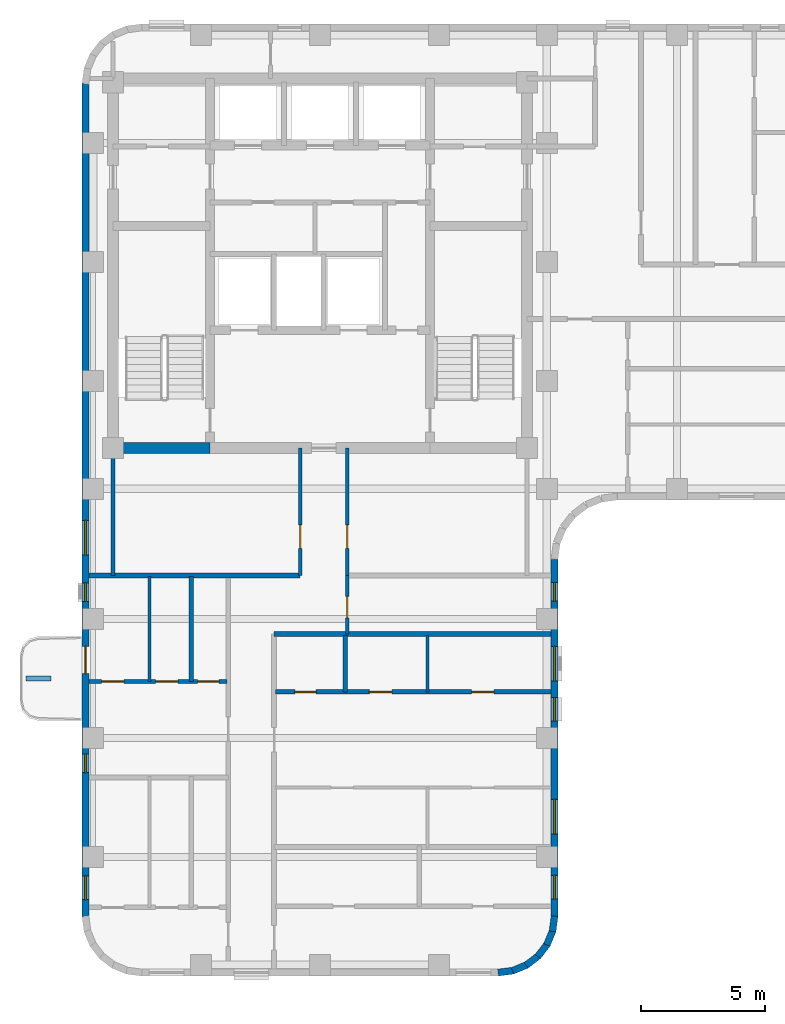
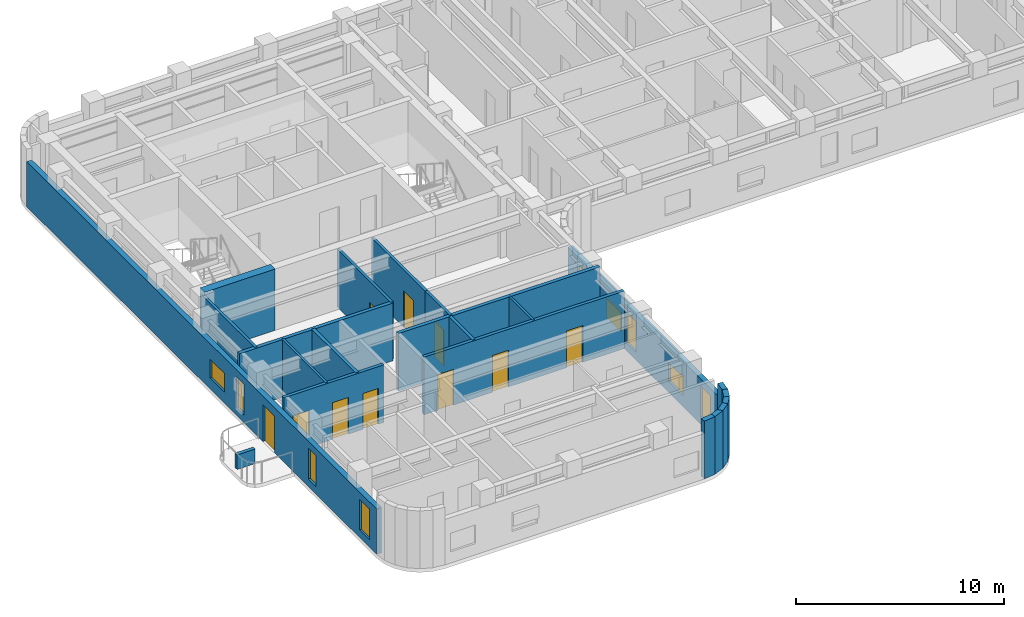
# One storey, part 3 of 10: 22 walls, 10 doors, 9 windows, 19 openings.
"""IFC4 building model written with IfcOpenShell, lengths in metres."""

from ifc_helpers import new_model, si_unit, direction, frame, frame_2d, origin, place, context, subcontext, project, spatial, rectangle, extrude, material, layer, layer_set, type_object, element, fill, save


model = new_model("IFC4")

# Units and contexts
model_context = context("Model", 3, precision=1e-05, world=origin(), true_north=direction((0.0, 1.0)))
body_context = subcontext(model_context, "Body", "Model", "MODEL_VIEW")
ifc_project = project(units=[si_unit("LENGTHUNIT", "METRE"), si_unit("AREAUNIT", "SQUARE_METRE"), si_unit("VOLUMEUNIT", "CUBIC_METRE"), si_unit("PLANEANGLEUNIT", "RADIAN"), si_unit("MASSUNIT", "GRAM", prefix="KILO")], contexts=[model_context])

# Site, building, storey
site_placement = place(None, origin())
site = spatial("IfcSite", under=ifc_project, at=site_placement, CompositionType="ELEMENT")
building_placement = place(site_placement, origin())
building = spatial("IfcBuilding", under=site, at=building_placement, Name="Orvandelia Arch Residences", CompositionType="ELEMENT")
storey_placement = place(building_placement, frame((0.0, 0.0, 221.800048828125)))
storey = spatial("IfcBuildingStorey", under=building, at=storey_placement, Name="L58", CompositionType="ELEMENT", Elevation=221.800048828125)

# Walls
ifc_material_1 = material(Name="Concrete C50/60", Category="concrete")
ifc_layer_1 = layer(ifc_material_1, 0.449951171875, Name="Concrete C50/60", Category="concrete")
ifc_layer_set_1 = layer_set([ifc_layer_1], Name="Concrete C50/60")
wall_type_1 = type_object("IfcWallType", Name="WL-CORE-450", PredefinedType="SHEAR", material=ifc_layer_set_1)
wall_1_placement = place(storey_placement, frame((6.050048828125, 30.89990234375, 0.0), z_axis=(0.0, 0.0, 1.0), x_axis=(1.0, 0.0, 0.0)))
element("IfcWall", 1, at=wall_1_placement, inside=storey, type_object=wall_type_1, Name="Core Shear Wall L58-SW", PredefinedType="SHEAR", context=body_context, shape_type="SweptSolid", body=[
    extrude(rectangle(XDim=3.909912109375, YDim=0.449951171875, at=frame_2d((1.955078125, 0.0))), origin(), (0.0, 0.0, 1.0), 3.599853515625),
])
ifc_material_2 = material(Name="Fire-Rated Corridor Partition")
ifc_layer_2 = layer(ifc_material_2, 0.199951171875, Name="Fire-Rated Corridor Partition")
ifc_layer_set_2 = layer_set([ifc_layer_2], Name="Fire-Rated Corridor Partition")
wall_type_2 = type_object("IfcWallType", Name="WL-CORR-200", PredefinedType="PARTITIONING", material=ifc_layer_set_2)
wall_2_placement = place(storey_placement, frame((12.550048828125, 23.39990234375, 0.0), z_axis=(0.0, 0.0, 1.0), x_axis=(1.0, 0.0, 0.0)))
element("IfcWall", 2, at=wall_2_placement, inside=storey, type_object=wall_type_2, Name="Interior Partition Wall WL-L58-WLNK-S", PredefinedType="PARTITIONING", context=body_context, shape_type="SweptSolid", body=[
    extrude(rectangle(XDim=11.169921875, YDim=0.199951171875, at=frame_2d((5.5849609375, 0.0))), origin(), (0.0, 0.0, 1.0), 3.3798828125),
])
wall_3_placement = place(storey_placement, frame((5.080078125, 25.75, 0.0), z_axis=(0.0, 0.0, 1.0), x_axis=(1.0, 0.0, 0.0)))
element("IfcWall", 3, at=wall_3_placement, inside=storey, type_object=wall_type_2, Name="Interior Partition Wall WL-L58-WLNK-N", PredefinedType="PARTITIONING", context=body_context, shape_type="SweptSolid", body=[
    extrude(rectangle(XDim=8.52001953125, YDim=0.199951171875, at=frame_2d((4.260009765625, 0.0))), origin(), (0.0, 0.0, 1.0), 3.3798828125),
])

# Wall, openings, windows
ifc_material_3 = material(Name="Precast concrete C40/50", Category="concrete")
ifc_layer_3 = layer(ifc_material_3, 0.280029296875, Name="Precast concrete C40/50", Category="concrete")
ifc_layer_set_3 = layer_set([ifc_layer_3], Name="Precast concrete C40/50")
wall_type_3 = type_object("IfcWallType", Name="WL-EXT-STONE-280", PredefinedType="STANDARD", material=ifc_layer_set_3)
wall_4_placement = place(storey_placement, frame((23.860107421875, 26.39990234375, 0.0), z_axis=(0.0, 0.0, 1.0), x_axis=(0.0, -1.0, 0.0)))
wall_4 = element("IfcWall", 4, at=wall_4_placement, inside=storey, type_object=wall_type_3, Name="Coral-Limestone Precast Facade Wall L58-028", PredefinedType="STANDARD", context=body_context, shape_type="SweptSolid", body=[
    extrude(rectangle(XDim=14.39990234375, YDim=0.280029296875, at=frame_2d((7.199951171875, 0.0))), origin(), (0.0, 0.0, 1.0), 2.659912109375),
])
opening_1_placement = place(wall_4_placement, frame((3.5, 0.0, 0.64990234375)))
opening_1 = element("IfcOpeningElement", 5, at=opening_1_placement, cuts=wall_4, Name="Opening W10", PredefinedType="OPENING", context=body_context, shape_type="SweptSolid", body=[
    extrude(rectangle(XDim=1.39990234375, YDim=1.10009765625, at=frame_2d((0.699951171875, 0.550048828125))), frame((0.0, 0.14990234375, 0.0), z_axis=(0.0, -1.0, 0.0), x_axis=(1.0, 0.0, 0.0)), (0.0, 0.0, 1.0), 0.300048828125),
])
opening_2_placement = place(wall_4_placement, frame((9.678466796875, 0.0, 0.64990234375)))
opening_2 = element("IfcOpeningElement", 6, at=opening_2_placement, cuts=wall_4, Name="Opening W10", PredefinedType="OPENING", context=body_context, shape_type="SweptSolid", body=[
    extrude(rectangle(XDim=1.39990234375, YDim=1.10009765625, at=frame_2d((0.699951171875, 0.550048828125))), frame((0.0, 0.14990234375, 0.0), z_axis=(0.0, -1.0, 0.0), x_axis=(1.0, 0.0, 0.0)), (0.0, 0.0, 1.0), 0.300048828125),
])
opening_3_placement = place(wall_4_placement, frame((12.742431640625, 0.0, 0.449951171875)))
opening_3 = element("IfcOpeningElement", 7, at=opening_3_placement, cuts=wall_4, Name="Opening W4", PredefinedType="OPENING", context=body_context, shape_type="SweptSolid", body=[
    extrude(rectangle(XDim=0.949951171875, YDim=1.800048828125, at=frame_2d((0.47509765625, 0.89990234375))), frame((0.0, 0.14990234375, 0.0), z_axis=(0.0, -1.0, 0.0), x_axis=(1.0, 0.0, 0.0)), (0.0, 0.0, 1.0), 0.300048828125),
])
opening_4_placement = place(wall_4_placement, frame((5.572509765625, 0.0, 0.449951171875)))
opening_4 = element("IfcOpeningElement", 8, at=opening_4_placement, cuts=wall_4, Name="Opening W4", PredefinedType="OPENING", context=body_context, shape_type="SweptSolid", body=[
    extrude(rectangle(XDim=0.949951171875, YDim=1.800048828125, at=frame_2d((0.47509765625, 0.89990234375))), frame((0.0, 0.14990234375, 0.0), z_axis=(0.0, -1.0, 0.0), x_axis=(1.0, 0.0, 0.0)), (0.0, 0.0, 1.0), 0.300048828125),
])
opening_5_placement = place(wall_4_placement, frame((0.9326171875, 0.0, 0.449951171875)))
opening_5 = element("IfcOpeningElement", 9, at=opening_5_placement, cuts=wall_4, Name="Opening W11", PredefinedType="OPENING", context=body_context, shape_type="SweptSolid", body=[
    extrude(rectangle(XDim=0.75, YDim=1.800048828125, at=frame_2d((0.375, 0.89990234375))), frame((0.0, 0.14990234375, 0.0), z_axis=(0.0, -1.0, 0.0), x_axis=(1.0, 0.0, 0.0)), (0.0, 0.0, 1.0), 0.300048828125),
])
ifc_material_4 = material(Name="Tempered Low-E Insulated Glazing", Category="glass")
window_type_1 = type_object("IfcWindowType", Name="WIN-BED-0750x1800", PartitioningType="SINGLE_PANEL", PredefinedType="WINDOW", material=ifc_material_4)
window_1_placement = place(opening_5_placement, origin())
window_1 = element("IfcWindow", 10, at=window_1_placement, inside=storey, type_object=window_type_1, Name="Recessed Punched Window L58-022", OverallHeight=1.800048828125, OverallWidth=0.75, PartitioningType="SINGLE_PANEL", PredefinedType="WINDOW", context=body_context, shape_type="SweptSolid", body=[
    extrude(rectangle(XDim=0.75, YDim=1.800048828125, at=frame_2d((0.375, 0.89990234375))), frame((0.0, 0.030029296875, 0.0), z_axis=(0.0, -1.0, 0.0), x_axis=(1.0, 0.0, 0.0)), (0.0, 0.0, 1.0), 0.06005859375),
])
fill(opening_5, window_1)
window_type_2 = type_object("IfcWindowType", Name="WIN-CLR-1400x1100", PartitioningType="SINGLE_PANEL", PredefinedType="WINDOW", material=ifc_material_4)
window_2_placement = place(opening_1_placement, origin())
window_2 = element("IfcWindow", 11, at=window_2_placement, inside=storey, type_object=window_type_2, Name="Recessed Punched Window L58-018", OverallHeight=1.10009765625, OverallWidth=1.39990234375, PartitioningType="SINGLE_PANEL", PredefinedType="WINDOW", context=body_context, shape_type="SweptSolid", body=[
    extrude(rectangle(XDim=1.39990234375, YDim=1.10009765625, at=frame_2d((0.699951171875, 0.550048828125))), frame((0.0, 0.030029296875, 0.0), z_axis=(0.0, -1.0, 0.0), x_axis=(1.0, 0.0, 0.0)), (0.0, 0.0, 1.0), 0.06005859375),
])
fill(opening_1, window_2)
window_3_placement = place(opening_2_placement, origin())
window_3 = element("IfcWindow", 12, at=window_3_placement, inside=storey, type_object=window_type_2, Name="Recessed Punched Window L58-019", OverallHeight=1.10009765625, OverallWidth=1.39990234375, PartitioningType="SINGLE_PANEL", PredefinedType="WINDOW", context=body_context, shape_type="SweptSolid", body=[
    extrude(rectangle(XDim=1.39990234375, YDim=1.10009765625, at=frame_2d((0.699951171875, 0.550048828125))), frame((0.0, 0.030029296875, 0.0), z_axis=(0.0, -1.0, 0.0), x_axis=(1.0, 0.0, 0.0)), (0.0, 0.0, 1.0), 0.06005859375),
])
fill(opening_2, window_3)
window_type_3 = type_object("IfcWindowType", Name="WIN-RES-0950x1800", PartitioningType="SINGLE_PANEL", PredefinedType="WINDOW", material=ifc_material_4)
window_4_placement = place(opening_3_placement, origin())
window_4 = element("IfcWindow", 13, at=window_4_placement, inside=storey, type_object=window_type_3, Name="Recessed Punched Window L58-020", OverallHeight=1.800048828125, OverallWidth=0.949951171875, PartitioningType="SINGLE_PANEL", PredefinedType="WINDOW", context=body_context, shape_type="SweptSolid", body=[
    extrude(rectangle(XDim=0.949951171875, YDim=1.800048828125, at=frame_2d((0.47509765625, 0.89990234375))), frame((0.0, 0.030029296875, 0.0), z_axis=(0.0, -1.0, 0.0), x_axis=(1.0, 0.0, 0.0)), (0.0, 0.0, 1.0), 0.06005859375),
])
fill(opening_3, window_4)
window_5_placement = place(opening_4_placement, origin())
window_5 = element("IfcWindow", 14, at=window_5_placement, inside=storey, type_object=window_type_3, Name="Recessed Punched Window L58-021", OverallHeight=1.800048828125, OverallWidth=0.949951171875, PartitioningType="SINGLE_PANEL", PredefinedType="WINDOW", context=body_context, shape_type="SweptSolid", body=[
    extrude(rectangle(XDim=0.949951171875, YDim=1.800048828125, at=frame_2d((0.47509765625, 0.89990234375))), frame((0.0, 0.030029296875, 0.0), z_axis=(0.0, -1.0, 0.0), x_axis=(1.0, 0.0, 0.0)), (0.0, 0.0, 1.0), 0.06005859375),
])
fill(opening_4, window_5)

# Walls
for number, where, z_axis, x_axis, name in (
    (15, (23.861083984375, 12.018310546875, 0.0), (0.0, 0.0, 1.0), (-0.130555323746, -0.9914410257, 0.0), "Coral-Limestone Precast Facade Wall L58-029"),
    (16, (23.788818359375, 11.432373046875, 0.0), (0.0, 0.0, 1.0), (-0.382317370307, -0.924031075431, 0.0), "Coral-Limestone Precast Facade Wall L58-030"),
    (17, (23.5673828125, 10.88525390625, 0.0), (0.0, 0.0, 1.0), (-0.608693302629, -0.793405610854, 0.0), "Coral-Limestone Precast Facade Wall L58-031"),
    (18, (23.2119140625, 10.4140625, 0.0), (0.0, 0.0, 1.0), (-0.793405610854, -0.608693302629, 0.0), "Coral-Limestone Precast Facade Wall L58-032"),
    (19, (22.746337890625, 10.05078125, 0.0), (0.0, 0.0, 1.0), (-0.92389335771, -0.382650053678, 0.0), "Coral-Limestone Precast Facade Wall L58-033"),
    (20, (22.202880859375, 9.820556640625, 0.0), (0.0, 0.0, 1.0), (-0.9914410257, -0.130555323746, 0.0), "Coral-Limestone Precast Facade Wall L58-034"),
):
    element("IfcWall", number, at=place(storey_placement, frame(where, z_axis=z_axis, x_axis=x_axis)), inside=storey, type_object=wall_type_3, Name=name, PredefinedType="STANDARD", context=body_context, shape_type="SweptSolid", body=[
        extrude(rectangle(XDim=0.62646484375, YDim=0.280029296875, at=frame_2d((0.313232421875, 0.0))), origin(), (0.0, 0.0, 1.0), 3.3798828125),
    ])

# Wall, openings, door, windows
wall_5_placement = place(storey_placement, frame((4.93994140625, 12.0, 0.0), z_axis=(0.0, 0.0, 1.0), x_axis=(0.0, 1.0, 0.0)))
wall_5 = element("IfcWall", 21, at=wall_5_placement, inside=storey, type_object=wall_type_3, Name="Coral-Limestone Precast Facade Wall L58-042", PredefinedType="STANDARD", context=body_context, shape_type="SweptSolid", body=[
    extrude(rectangle(XDim=33.60009765625, YDim=0.280029296875, at=frame_2d((16.800048828125, 0.0))), origin(), (0.0, 0.0, 1.0), 2.659912109375),
])
opening_6_placement = place(wall_5_placement, frame((9.800048828125, 0.0, 0.0)))
opening_6 = element("IfcOpeningElement", 22, at=opening_6_placement, cuts=wall_5, Name="Opening BD1", PredefinedType="OPENING", context=body_context, shape_type="SweptSolid", body=[
    extrude(rectangle(XDim=1.10009765625, YDim=2.14990234375, at=frame_2d((0.550048828125, 1.074951171875))), frame((0.0, 0.14990234375, 0.0), z_axis=(0.0, -1.0, 0.0), x_axis=(1.0, 0.0, 0.0)), (0.0, 0.0, 1.0), 0.300048828125),
])
opening_7_placement = place(wall_5_placement, frame((0.685546875, 0.0, 0.449951171875)))
opening_7 = element("IfcOpeningElement", 23, at=opening_7_placement, cuts=wall_5, Name="Opening W4", PredefinedType="OPENING", context=body_context, shape_type="SweptSolid", body=[
    extrude(rectangle(XDim=0.949951171875, YDim=1.800048828125, at=frame_2d((0.47509765625, 0.89990234375))), frame((0.0, 0.14990234375, 0.0), z_axis=(0.0, -1.0, 0.0), x_axis=(1.0, 0.0, 0.0)), (0.0, 0.0, 1.0), 0.300048828125),
])
opening_8_placement = place(wall_5_placement, frame((12.70751953125, 0.0, 0.449951171875)))
opening_8 = element("IfcOpeningElement", 24, at=opening_8_placement, cuts=wall_5, Name="Opening W11", PredefinedType="OPENING", context=body_context, shape_type="SweptSolid", body=[
    extrude(rectangle(XDim=0.75, YDim=1.800048828125, at=frame_2d((0.375, 0.89990234375))), frame((0.0, 0.14990234375, 0.0), z_axis=(0.0, -1.0, 0.0), x_axis=(1.0, 0.0, 0.0)), (0.0, 0.0, 1.0), 0.300048828125),
])
opening_9_placement = place(wall_5_placement, frame((5.802490234375, 0.0, 0.449951171875)))
opening_9 = element("IfcOpeningElement", 25, at=opening_9_placement, cuts=wall_5, Name="Opening W11", PredefinedType="OPENING", context=body_context, shape_type="SweptSolid", body=[
    extrude(rectangle(XDim=0.75, YDim=1.800048828125, at=frame_2d((0.375, 0.89990234375))), frame((0.0, 0.14990234375, 0.0), z_axis=(0.0, -1.0, 0.0), x_axis=(1.0, 0.0, 0.0)), (0.0, 0.0, 1.0), 0.300048828125),
])
opening_10_placement = place(wall_5_placement, frame((14.58251953125, 0.0, 0.64990234375)))
opening_10 = element("IfcOpeningElement", 26, at=opening_10_placement, cuts=wall_5, Name="Opening W10", PredefinedType="OPENING", context=body_context, shape_type="SweptSolid", body=[
    extrude(rectangle(XDim=1.39990234375, YDim=1.10009765625, at=frame_2d((0.699951171875, 0.550048828125))), frame((0.0, 0.14990234375, 0.0), z_axis=(0.0, -1.0, 0.0), x_axis=(1.0, 0.0, 0.0)), (0.0, 0.0, 1.0), 0.300048828125),
])
ifc_material_5 = material(Name="Thermally Broken Aluminium Glazed Door", Category="aluminium")
door_type_1 = type_object("IfcDoorType", Name="DR-BAL-GLAZ-1100", OperationType="NOTDEFINED", PredefinedType="DOOR", material=ifc_material_5)
door_1_placement = place(opening_6_placement, origin())
door_1 = element("IfcDoor", 27, at=door_1_placement, inside=storey, type_object=door_type_1, Name="Tree Balcony Glazed Door BAL-L58-W1", OperationType="SINGLE_SWING_RIGHT", OverallHeight=2.14990234375, OverallWidth=1.10009765625, PredefinedType="DOOR", context=body_context, shape_type="SweptSolid", body=[
    extrude(rectangle(XDim=1.10009765625, YDim=2.14990234375, at=frame_2d((0.550048828125, 1.074951171875))), frame((0.0, 0.02490234375, 0.0), z_axis=(0.0, -1.0, 0.0), x_axis=(1.0, 0.0, 0.0)), (0.0, 0.0, 1.0), 0.050048828125),
])
fill(opening_6, door_1)
window_6_placement = place(opening_8_placement, origin())
window_6 = element("IfcWindow", 28, at=window_6_placement, inside=storey, type_object=window_type_1, Name="Recessed Punched Window L58-027", OverallHeight=1.800048828125, OverallWidth=0.75, PartitioningType="SINGLE_PANEL", PredefinedType="WINDOW", context=body_context, shape_type="SweptSolid", body=[
    extrude(rectangle(XDim=0.75, YDim=1.800048828125, at=frame_2d((0.375, 0.89990234375))), frame((0.0, 0.030029296875, 0.0), z_axis=(0.0, -1.0, 0.0), x_axis=(1.0, 0.0, 0.0)), (0.0, 0.0, 1.0), 0.06005859375),
])
fill(opening_8, window_6)
window_7_placement = place(opening_9_placement, origin())
window_7 = element("IfcWindow", 29, at=window_7_placement, inside=storey, type_object=window_type_1, Name="Recessed Punched Window L58-028", OverallHeight=1.800048828125, OverallWidth=0.75, PartitioningType="SINGLE_PANEL", PredefinedType="WINDOW", context=body_context, shape_type="SweptSolid", body=[
    extrude(rectangle(XDim=0.75, YDim=1.800048828125, at=frame_2d((0.375, 0.89990234375))), frame((0.0, 0.030029296875, 0.0), z_axis=(0.0, -1.0, 0.0), x_axis=(1.0, 0.0, 0.0)), (0.0, 0.0, 1.0), 0.06005859375),
])
fill(opening_9, window_7)
window_8_placement = place(opening_10_placement, origin())
window_8 = element("IfcWindow", 30, at=window_8_placement, inside=storey, type_object=window_type_2, Name="Recessed Punched Window L58-029", OverallHeight=1.10009765625, OverallWidth=1.39990234375, PartitioningType="SINGLE_PANEL", PredefinedType="WINDOW", context=body_context, shape_type="SweptSolid", body=[
    extrude(rectangle(XDim=1.39990234375, YDim=1.10009765625, at=frame_2d((0.699951171875, 0.550048828125))), frame((0.0, 0.030029296875, 0.0), z_axis=(0.0, -1.0, 0.0), x_axis=(1.0, 0.0, 0.0)), (0.0, 0.0, 1.0), 0.06005859375),
])
fill(opening_10, window_8)
window_9_placement = place(opening_7_placement, origin())
window_9 = element("IfcWindow", 31, at=window_9_placement, inside=storey, type_object=window_type_3, Name="Recessed Punched Window L58-026", OverallHeight=1.800048828125, OverallWidth=0.949951171875, PartitioningType="SINGLE_PANEL", PredefinedType="WINDOW", context=body_context, shape_type="SweptSolid", body=[
    extrude(rectangle(XDim=0.949951171875, YDim=1.800048828125, at=frame_2d((0.47509765625, 0.89990234375))), frame((0.0, 0.030029296875, 0.0), z_axis=(0.0, -1.0, 0.0), x_axis=(1.0, 0.0, 0.0)), (0.0, 0.0, 1.0), 0.06005859375),
])
fill(opening_7, window_9)

# Walls
ifc_material_6 = material(Name="Lightweight Gypsum Stud Partition")
ifc_layer_4 = layer(ifc_material_6, 0.1201171875, Name="Lightweight Gypsum Stud Partition")
ifc_layer_set_4 = layer_set([ifc_layer_4], Name="Lightweight Gypsum Stud Partition")
wall_type_4 = type_object("IfcWallType", Name="WL-PART-120", PredefinedType="PARTITIONING", material=ifc_layer_set_4)
wall_6_placement = place(storey_placement, frame((7.514892578125, 21.47998046875, 0.0), z_axis=(0.0, 0.0, 1.0), x_axis=(0.0, 1.0, 0.0)))
element("IfcWall", 32, at=wall_6_placement, inside=storey, type_object=wall_type_4, Name="Interior Partition Wall WL-L58-U02-V1", PredefinedType="PARTITIONING", context=body_context, shape_type="SweptSolid", body=[
    extrude(rectangle(XDim=4.239990234375, YDim=0.1201171875, at=frame_2d((2.1201171875, 0.0))), origin(), (0.0, 0.0, 1.0), 3.3798828125),
])
wall_7_placement = place(storey_placement, frame((18.73193359375, 21.06005859375, 0.0), z_axis=(0.0, 0.0, 1.0), x_axis=(0.0, 1.0, 0.0)))
element("IfcWall", 33, at=wall_7_placement, inside=storey, type_object=wall_type_4, Name="Interior Partition Wall WL-L58-U04-V2", PredefinedType="PARTITIONING", context=body_context, shape_type="SweptSolid", body=[
    extrude(rectangle(XDim=2.280029296875, YDim=0.1201171875, at=frame_2d((1.14013671875, 0.0))), origin(), (0.0, 0.0, 1.0), 3.3798828125),
])

# Wall, opening, door
ifc_material_7 = material(Name="Acoustic Gypsum Stud Partition")
ifc_layer_5 = layer(ifc_material_7, 0.14990234375, Name="Acoustic Gypsum Stud Partition")
ifc_layer_set_5 = layer_set([ifc_layer_5], Name="Acoustic Gypsum Stud Partition")
wall_type_5 = type_object("IfcWallType", Name="WL-PART-150", PredefinedType="PARTITIONING", material=ifc_layer_set_5)
wall_8_placement = place(storey_placement, frame((13.60009765625, 25.75, 0.0), z_axis=(0.0, 0.0, 1.0), x_axis=(0.0, 1.0, 0.0)))
wall_8 = element("IfcWall", 34, at=wall_8_placement, inside=storey, type_object=wall_type_5, Name="Interior Partition Wall WL-L58-HI-W1", PredefinedType="PARTITIONING", context=body_context, shape_type="SweptSolid", body=[
    extrude(rectangle(XDim=5.14990234375, YDim=0.14990234375, at=frame_2d((2.574951171875, 0.0))), origin(), (0.0, 0.0, 1.0), 3.3798828125),
])
opening_11_placement = place(wall_8_placement, frame((1.10009765625, 0.0, 0.0)))
opening_11 = element("IfcOpeningElement", 35, at=opening_11_placement, cuts=wall_8, Name="Opening D2", PredefinedType="OPENING", context=body_context, shape_type="SweptSolid", body=[
    extrude(rectangle(XDim=0.949951171875, YDim=2.14990234375, at=frame_2d((0.47509765625, 1.074951171875))), frame((0.0, 0.0849609375, 0.0), z_axis=(0.0, -1.0, 0.0), x_axis=(1.0, 0.0, 0.0)), (0.0, 0.0, 1.0), 0.169921875),
])
ifc_material_8 = material(Name="Solid-Core Timber Interior Fire Door", Category="wood")
door_type_2 = type_object("IfcDoorType", Name="DR-APT-950", OperationType="NOTDEFINED", PredefinedType="DOOR", material=ifc_material_8)
door_2_placement = place(opening_11_placement, origin())
door_2 = element("IfcDoor", 36, at=door_2_placement, inside=storey, type_object=door_type_2, Name="DR-L58-HIR1", OperationType="SINGLE_SWING_LEFT", OverallHeight=2.14990234375, OverallWidth=0.949951171875, PredefinedType="DOOR", context=body_context, shape_type="SweptSolid", body=[
    extrude(rectangle(XDim=0.949951171875, YDim=2.14990234375, at=frame_2d((0.47509765625, 1.074951171875))), frame((0.0, 0.02490234375, 0.0), z_axis=(0.0, -1.0, 0.0), x_axis=(1.0, 0.0, 0.0)), (0.0, 0.0, 1.0), 0.050048828125),
])
fill(opening_11, door_2)

wall_9_placement = place(storey_placement, frame((15.5, 25.75, 0.0), z_axis=(0.0, 0.0, 1.0), x_axis=(0.0, 1.0, 0.0)))
wall_9 = element("IfcWall", 37, at=wall_9_placement, inside=storey, type_object=wall_type_5, Name="Interior Partition Wall WL-L58-HI-W2", PredefinedType="PARTITIONING", context=body_context, shape_type="SweptSolid", body=[
    extrude(rectangle(XDim=5.14990234375, YDim=0.14990234375, at=frame_2d((2.574951171875, 0.0))), origin(), (0.0, 0.0, 1.0), 3.3798828125),
])
opening_12_placement = place(wall_9_placement, frame((1.10009765625, 0.0, 0.0)))
opening_12 = element("IfcOpeningElement", 38, at=opening_12_placement, cuts=wall_9, Name="Opening D2", PredefinedType="OPENING", context=body_context, shape_type="SweptSolid", body=[
    extrude(rectangle(XDim=0.949951171875, YDim=2.14990234375, at=frame_2d((0.47509765625, 1.074951171875))), frame((0.0, 0.0849609375, 0.0), z_axis=(0.0, -1.0, 0.0), x_axis=(1.0, 0.0, 0.0)), (0.0, 0.0, 1.0), 0.169921875),
])
door_3_placement = place(opening_12_placement, origin())
door_3 = element("IfcDoor", 39, at=door_3_placement, inside=storey, type_object=door_type_2, Name="DR-L58-HIR2", OperationType="SINGLE_SWING_RIGHT", OverallHeight=2.14990234375, OverallWidth=0.949951171875, PredefinedType="DOOR", context=body_context, shape_type="SweptSolid", body=[
    extrude(rectangle(XDim=0.949951171875, YDim=2.14990234375, at=frame_2d((0.47509765625, 1.074951171875))), frame((0.0, 0.02490234375, 0.0), z_axis=(0.0, -1.0, 0.0), x_axis=(1.0, 0.0, 0.0)), (0.0, 0.0, 1.0), 0.050048828125),
])
fill(opening_12, door_3)

# Wall
wall_10_placement = place(storey_placement, frame((6.050048828125, 25.75, 0.0), z_axis=(0.0, 0.0, 1.0), x_axis=(0.0, 1.0, 0.0)))
element("IfcWall", 40, at=wall_10_placement, inside=storey, type_object=wall_type_5, Name="Interior Partition Wall WL-L58-HI-WW", PredefinedType="PARTITIONING", context=body_context, shape_type="SweptSolid", body=[
    extrude(rectangle(XDim=5.14990234375, YDim=0.14990234375, at=frame_2d((2.574951171875, 0.0))), origin(), (0.0, 0.0, 1.0), 3.3798828125),
])

# Wall, opening, door
wall_11_placement = place(storey_placement, frame((15.5, 23.39990234375, 0.0), z_axis=(0.0, 0.0, 1.0), x_axis=(0.0, 1.0, 0.0)))
wall_11 = element("IfcWall", 41, at=wall_11_placement, inside=storey, type_object=wall_type_5, Name="Interior Partition Wall WL-L58-WLNK-E", PredefinedType="PARTITIONING", context=body_context, shape_type="SweptSolid", body=[
    extrude(rectangle(XDim=2.35009765625, YDim=0.14990234375, at=frame_2d((1.175048828125, 0.0))), origin(), (0.0, 0.0, 1.0), 3.3798828125),
])
opening_13_placement = place(wall_11_placement, frame((0.64990234375, 0.0, 0.0)))
opening_13 = element("IfcOpeningElement", 42, at=opening_13_placement, cuts=wall_11, Name="Opening D4", PredefinedType="OPENING", context=body_context, shape_type="SweptSolid", body=[
    extrude(rectangle(XDim=0.860107421875, YDim=2.10009765625, at=frame_2d((0.43017578125, 1.050048828125))), frame((0.0, 0.0849609375, 0.0), z_axis=(0.0, -1.0, 0.0), x_axis=(1.0, 0.0, 0.0)), (0.0, 0.0, 1.0), 0.169921875),
])
ifc_material_9 = material(Name="Moisture-Sealed Timber Bathroom Door", Category="wood")
door_type_3 = type_object("IfcDoorType", Name="DR-WET-900", OperationType="NOTDEFINED", PredefinedType="DOOR", material=ifc_material_9)
door_4_placement = place(opening_13_placement, origin())
door_4 = element("IfcDoor", 43, at=door_4_placement, inside=storey, type_object=door_type_3, Name="DR-L58-WLNKST", OperationType="SINGLE_SWING_RIGHT", OverallHeight=2.10009765625, OverallWidth=0.860107421875, PredefinedType="DOOR", context=body_context, shape_type="SweptSolid", body=[
    extrude(rectangle(XDim=0.860107421875, YDim=2.10009765625, at=frame_2d((0.43017578125, 1.050048828125))), frame((0.0, 0.02490234375, 0.0), z_axis=(0.0, -1.0, 0.0), x_axis=(1.0, 0.0, 0.0)), (0.0, 0.0, 1.0), 0.050048828125),
])
fill(opening_13, door_4)

# Wall
ifc_layer_6 = layer(ifc_material_3, 0.199951171875, Name="Precast concrete C40/50", Category="concrete")
ifc_layer_set_6 = layer_set([ifc_layer_6], Name="Precast concrete C40/50")
wall_type_6 = type_object("IfcWallType", Name="WL-PLANTER-200", PredefinedType="MOVABLE", material=ifc_layer_set_6)
wall_12_placement = place(storey_placement, frame((2.550048828125, 21.60009765625, 0.0), z_axis=(0.0, 0.0, 1.0), x_axis=(1.0, 0.0, 0.0)))
element("IfcWall", 44, at=wall_12_placement, inside=storey, type_object=wall_type_6, Name="Balcony Precast Tree Planter BAL-L58-W1", PredefinedType="MOVABLE", context=body_context, shape_type="SweptSolid", body=[
    extrude(rectangle(XDim=1.0, YDim=0.199951171875, at=frame_2d((0.5, 0.0))), origin(), (0.0, 0.0, 1.0), 0.849853515625),
])

# Wall, openings, doors
ifc_material_10 = material(Name="Moisture-Resistant Plumbing Wall")
ifc_layer_7 = layer(ifc_material_10, 0.179931640625, Name="Moisture-Resistant Plumbing Wall")
ifc_layer_set_7 = layer_set([ifc_layer_7], Name="Moisture-Resistant Plumbing Wall")
wall_type_7 = type_object("IfcWallType", Name="WL-WET-180", PredefinedType="PLUMBINGWALL", material=ifc_layer_set_7)
wall_13_placement = place(storey_placement, frame((5.080078125, 21.47998046875, 0.0), z_axis=(0.0, 0.0, 1.0), x_axis=(1.0, 0.0, 0.0)))
wall_13 = element("IfcWall", 45, at=wall_13_placement, inside=storey, type_object=wall_type_7, Name="Interior Partition Wall WL-L58-U02-HZ", PredefinedType="PLUMBINGWALL", context=body_context, shape_type="SweptSolid", body=[
    extrude(rectangle(XDim=5.559814453125, YDim=0.179931640625, at=frame_2d((2.77978515625, 0.0))), origin(), (0.0, 0.0, 1.0), 3.3798828125),
])
opening_14_placement = place(wall_13_placement, frame((0.51220703125, 0.0, 0.0)))
opening_14 = element("IfcOpeningElement", 46, at=opening_14_placement, cuts=wall_13, Name="Opening D3", PredefinedType="OPENING", context=body_context, shape_type="SweptSolid", body=[
    extrude(rectangle(XDim=0.89990234375, YDim=2.14990234375, at=frame_2d((0.449951171875, 1.074951171875))), frame((0.0, 0.10009765625, 0.0), z_axis=(0.0, -1.0, 0.0), x_axis=(1.0, 0.0, 0.0)), (0.0, 0.0, 1.0), 0.199951171875),
])
opening_15_placement = place(wall_13_placement, frame((2.695068359375, 0.0, 0.0)))
opening_15 = element("IfcOpeningElement", 47, at=opening_15_placement, cuts=wall_13, Name="Opening D3", PredefinedType="OPENING", context=body_context, shape_type="SweptSolid", body=[
    extrude(rectangle(XDim=0.89990234375, YDim=2.14990234375, at=frame_2d((0.449951171875, 1.074951171875))), frame((0.0, 0.10009765625, 0.0), z_axis=(0.0, -1.0, 0.0), x_axis=(1.0, 0.0, 0.0)), (0.0, 0.0, 1.0), 0.199951171875),
])
opening_16_placement = place(wall_13_placement, frame((4.382080078125, 0.0, 0.0)))
opening_16 = element("IfcOpeningElement", 48, at=opening_16_placement, cuts=wall_13, Name="Opening D4", PredefinedType="OPENING", context=body_context, shape_type="SweptSolid", body=[
    extrude(rectangle(XDim=0.860107421875, YDim=2.10009765625, at=frame_2d((0.43017578125, 1.050048828125))), frame((0.0, 0.10009765625, 0.0), z_axis=(0.0, -1.0, 0.0), x_axis=(1.0, 0.0, 0.0)), (0.0, 0.0, 1.0), 0.199951171875),
])
ifc_material_11 = material(Name="Engineered Timber Flush Door", Category="wood")
door_type_4 = type_object("IfcDoorType", Name="DR-INT-900", OperationType="NOTDEFINED", PredefinedType="DOOR", material=ifc_material_11)
door_5_placement = place(opening_14_placement, origin())
door_5 = element("IfcDoor", 49, at=door_5_placement, inside=storey, type_object=door_type_4, Name="DR-L58-U02-BD1", OperationType="SINGLE_SWING_RIGHT", OverallHeight=2.14990234375, OverallWidth=0.89990234375, PredefinedType="DOOR", context=body_context, shape_type="SweptSolid", body=[
    extrude(rectangle(XDim=0.89990234375, YDim=2.14990234375, at=frame_2d((0.449951171875, 1.074951171875))), frame((0.0, 0.02490234375, 0.0), z_axis=(0.0, -1.0, 0.0), x_axis=(1.0, 0.0, 0.0)), (0.0, 0.0, 1.0), 0.050048828125),
])
fill(opening_14, door_5)
door_6_placement = place(opening_15_placement, origin())
door_6 = element("IfcDoor", 50, at=door_6_placement, inside=storey, type_object=door_type_4, Name="DR-L58-U02-KIT", OperationType="SINGLE_SWING_LEFT", OverallHeight=2.14990234375, OverallWidth=0.89990234375, PredefinedType="DOOR", context=body_context, shape_type="SweptSolid", body=[
    extrude(rectangle(XDim=0.89990234375, YDim=2.14990234375, at=frame_2d((0.449951171875, 1.074951171875))), frame((0.0, 0.02490234375, 0.0), z_axis=(0.0, -1.0, 0.0), x_axis=(1.0, 0.0, 0.0)), (0.0, 0.0, 1.0), 0.050048828125),
])
fill(opening_15, door_6)
door_7_placement = place(opening_16_placement, origin())
door_7 = element("IfcDoor", 51, at=door_7_placement, inside=storey, type_object=door_type_3, Name="DR-L58-U02-BTH", OperationType="SINGLE_SWING_RIGHT", OverallHeight=2.10009765625, OverallWidth=0.860107421875, PredefinedType="DOOR", context=body_context, shape_type="SweptSolid", body=[
    extrude(rectangle(XDim=0.860107421875, YDim=2.10009765625, at=frame_2d((0.43017578125, 1.050048828125))), frame((0.0, 0.02490234375, 0.0), z_axis=(0.0, -1.0, 0.0), x_axis=(1.0, 0.0, 0.0)), (0.0, 0.0, 1.0), 0.050048828125),
])
fill(opening_16, door_7)

# Wall
wall_14_placement = place(storey_placement, frame((9.201904296875, 21.47998046875, 0.0), z_axis=(0.0, 0.0, 1.0), x_axis=(0.0, 1.0, 0.0)))
element("IfcWall", 52, at=wall_14_placement, inside=storey, type_object=wall_type_7, Name="Interior Partition Wall WL-L58-U02-V2", PredefinedType="PLUMBINGWALL", context=body_context, shape_type="SweptSolid", body=[
    extrude(rectangle(XDim=4.239990234375, YDim=0.179931640625, at=frame_2d((2.1201171875, 0.0))), origin(), (0.0, 0.0, 1.0), 3.3798828125),
])

# Wall, openings, doors
wall_15_placement = place(storey_placement, frame((12.610107421875, 21.06005859375, 0.0), z_axis=(0.0, 0.0, 1.0), x_axis=(1.0, 0.0, 0.0)))
wall_15 = element("IfcWall", 53, at=wall_15_placement, inside=storey, type_object=wall_type_7, Name="Interior Partition Wall WL-L58-U04-HZ", PredefinedType="PLUMBINGWALL", context=body_context, shape_type="SweptSolid", body=[
    extrude(rectangle(XDim=11.10986328125, YDim=0.179931640625, at=frame_2d((5.554931640625, 0.0))), origin(), (0.0, 0.0, 1.0), 3.3798828125),
])
opening_17_placement = place(wall_15_placement, frame((0.772216796875, 0.0, 0.0)))
opening_17 = element("IfcOpeningElement", 54, at=opening_17_placement, cuts=wall_15, Name="Opening D4", PredefinedType="OPENING", context=body_context, shape_type="SweptSolid", body=[
    extrude(rectangle(XDim=0.860107421875, YDim=2.10009765625, at=frame_2d((0.43017578125, 1.050048828125))), frame((0.0, 0.10009765625, 0.0), z_axis=(0.0, -1.0, 0.0), x_axis=(1.0, 0.0, 0.0)), (0.0, 0.0, 1.0), 0.199951171875),
])
opening_18_placement = place(wall_15_placement, frame((3.7861328125, 0.0, 0.0)))
opening_18 = element("IfcOpeningElement", 55, at=opening_18_placement, cuts=wall_15, Name="Opening D3", PredefinedType="OPENING", context=body_context, shape_type="SweptSolid", body=[
    extrude(rectangle(XDim=0.89990234375, YDim=2.14990234375, at=frame_2d((0.449951171875, 1.074951171875))), frame((0.0, 0.10009765625, 0.0), z_axis=(0.0, -1.0, 0.0), x_axis=(1.0, 0.0, 0.0)), (0.0, 0.0, 1.0), 0.199951171875),
])
opening_19_placement = place(wall_15_placement, frame((7.903076171875, 0.0, 0.0)))
opening_19 = element("IfcOpeningElement", 56, at=opening_19_placement, cuts=wall_15, Name="Opening D3", PredefinedType="OPENING", context=body_context, shape_type="SweptSolid", body=[
    extrude(rectangle(XDim=0.89990234375, YDim=2.14990234375, at=frame_2d((0.449951171875, 1.074951171875))), frame((0.0, 0.10009765625, 0.0), z_axis=(0.0, -1.0, 0.0), x_axis=(1.0, 0.0, 0.0)), (0.0, 0.0, 1.0), 0.199951171875),
])
door_8_placement = place(opening_18_placement, origin())
door_8 = element("IfcDoor", 57, at=door_8_placement, inside=storey, type_object=door_type_4, Name="DR-L58-U04-KIT", OperationType="SINGLE_SWING_RIGHT", OverallHeight=2.14990234375, OverallWidth=0.89990234375, PredefinedType="DOOR", context=body_context, shape_type="SweptSolid", body=[
    extrude(rectangle(XDim=0.89990234375, YDim=2.14990234375, at=frame_2d((0.449951171875, 1.074951171875))), frame((0.0, 0.02490234375, 0.0), z_axis=(0.0, -1.0, 0.0), x_axis=(1.0, 0.0, 0.0)), (0.0, 0.0, 1.0), 0.050048828125),
])
fill(opening_18, door_8)
door_9_placement = place(opening_19_placement, origin())
door_9 = element("IfcDoor", 58, at=door_9_placement, inside=storey, type_object=door_type_4, Name="DR-L58-U04-BD1", OperationType="SINGLE_SWING_LEFT", OverallHeight=2.14990234375, OverallWidth=0.89990234375, PredefinedType="DOOR", context=body_context, shape_type="SweptSolid", body=[
    extrude(rectangle(XDim=0.89990234375, YDim=2.14990234375, at=frame_2d((0.449951171875, 1.074951171875))), frame((0.0, 0.02490234375, 0.0), z_axis=(0.0, -1.0, 0.0), x_axis=(1.0, 0.0, 0.0)), (0.0, 0.0, 1.0), 0.050048828125),
])
fill(opening_19, door_9)
door_10_placement = place(opening_17_placement, origin())
door_10 = element("IfcDoor", 59, at=door_10_placement, inside=storey, type_object=door_type_3, Name="DR-L58-U04-BTH", OperationType="SINGLE_SWING_LEFT", OverallHeight=2.10009765625, OverallWidth=0.860107421875, PredefinedType="DOOR", context=body_context, shape_type="SweptSolid", body=[
    extrude(rectangle(XDim=0.860107421875, YDim=2.10009765625, at=frame_2d((0.43017578125, 1.050048828125))), frame((0.0, 0.02490234375, 0.0), z_axis=(0.0, -1.0, 0.0), x_axis=(1.0, 0.0, 0.0)), (0.0, 0.0, 1.0), 0.050048828125),
])
fill(opening_17, door_10)

# Wall
wall_16_placement = place(storey_placement, frame((15.426025390625, 21.06005859375, 0.0), z_axis=(0.0, 0.0, 1.0), x_axis=(0.0, 1.0, 0.0)))
element("IfcWall", 60, at=wall_16_placement, inside=storey, type_object=wall_type_7, Name="Interior Partition Wall WL-L58-U04-V1", PredefinedType="PLUMBINGWALL", context=body_context, shape_type="SweptSolid", body=[
    extrude(rectangle(XDim=2.280029296875, YDim=0.179931640625, at=frame_2d((1.14013671875, 0.0))), origin(), (0.0, 0.0, 1.0), 3.3798828125),
])

save(model, "model.ifc")
